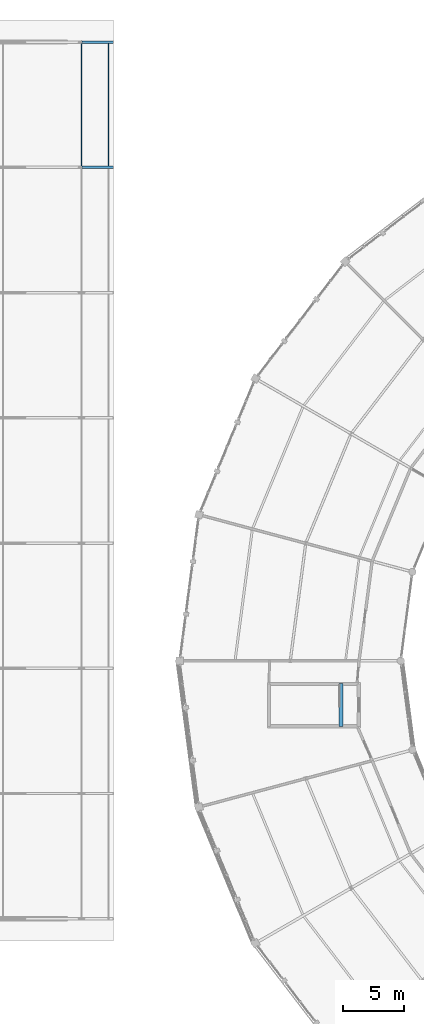
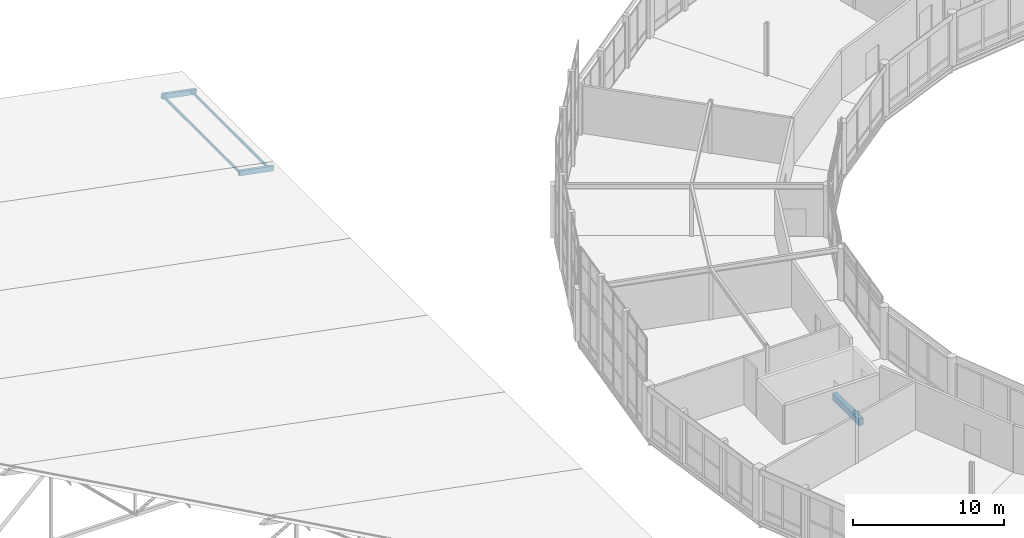
# One storey, part 79 of 200: 4 members, 1 beam.
"""IFC4 building model written with IfcOpenShell, lengths in metres."""

from ifc_helpers import new_model, si_unit, direction, frame, origin, origin_2d, place, context, subcontext, project, spatial, rectangle, hollow_rectangle, extrude, material, material_profile, profile_set, type_object, element, save


model = new_model("IFC4")

# Units and contexts
model_context = context("Model", 3, precision=1e-05, world=origin(), true_north=direction((0.0, 1.0)))
body_context = subcontext(model_context, "Body", "Model", "MODEL_VIEW")
ifc_project = project(units=[si_unit("LENGTHUNIT", "METRE"), si_unit("AREAUNIT", "SQUARE_METRE"), si_unit("VOLUMEUNIT", "CUBIC_METRE"), si_unit("PLANEANGLEUNIT", "RADIAN"), si_unit("MASSUNIT", "GRAM", prefix="KILO")], contexts=[model_context])

# Site, building, storey
site_placement = place(None, origin())
site = spatial("IfcSite", under=ifc_project, at=site_placement, CompositionType="ELEMENT")
building_placement = place(site_placement, origin())
building = spatial("IfcBuilding", under=site, at=building_placement, Name="Vondelvale Polytechnic", CompositionType="ELEMENT")
storey_placement = place(building_placement, frame((0.0, 0.0, 13.800048828125)))
storey = spatial("IfcBuildingStorey", under=building, at=storey_placement, Name="L03", CompositionType="ELEMENT", Elevation=13.800048828125)

# Beam
ifc_material_1 = material(Name="Concrete N40 (f'c = 40 MPa)", Category="concrete")
ifc_material_profile_1 = material_profile(ifc_material_1, rectangle(XDim=0.35009765625, YDim=0.550048828125, at=origin_2d()), Name="RC-BM-350x550")
ifc_profile_set_1 = profile_set([ifc_material_profile_1], Name="Concrete N40 (f'c = 40 MPa)")
beam_type = type_object("IfcBeamType", Name="BM-RC350x550", PredefinedType="BEAM", material=ifc_profile_set_1)
beam_placement = place(storey_placement, frame((69.125, 70.14990234375, -0.275146484375), z_axis=(0.0, -1.0, 0.0), x_axis=(1.0, 0.0, 0.0)))
element("IfcBeam", 1, at=beam_placement, inside=storey, type_object=beam_type, Name="L03 STHD B-06", PredefinedType="BEAM", context=body_context, shape_type="SweptSolid", body=[
    extrude(rectangle(XDim=0.35009765625, YDim=0.550048828125, at=origin_2d()), origin(), (0.0, 0.0, 1.0), 3.5),
])

# Members
ifc_material_2 = material(Name="Steel C350L0 (fy = 350 MPa)", Category="steel")
ifc_material_profile_2 = material_profile(ifc_material_2, hollow_rectangle(XDim=0.10009765625, YDim=0.199951171875, WallThickness=0.006103515625, at=origin_2d()), Name="200x100x6.0RHS")
ifc_profile_set_2 = profile_set([ifc_material_profile_2], Name="Steel C350L0 (fy = 350 MPa)")
member_type_1 = type_object("IfcMemberType", Name="PURLIN RHS200", PredefinedType="PURLIN", material=ifc_profile_set_2)
for number, where, z_axis, x_axis, name in (
    (2, (48.0, 112.199951171875, -0.31884765625), (0.0, 1.0, 0.0), (-1.0, 0.0, 0.0), "Workshop roof purlin bay 7"),
    (3, (50.199951171875, 112.199951171875, -0.74267578125), (0.0, 1.0, 0.0), (-1.0, 0.0, 0.0), "Workshop roof purlin bay 7"),
):
    element("IfcMember", number, at=place(storey_placement, frame(where, z_axis=z_axis, x_axis=x_axis)), inside=storey, type_object=member_type_1, Name=name, PredefinedType="PURLIN", context=body_context, shape_type="SweptSolid", body=[
        extrude(hollow_rectangle(XDim=0.10009765625, YDim=0.199951171875, WallThickness=0.006103515625, at=origin_2d()), origin(), (0.0, 0.0, 1.0), 10.199951171875),
    ])
ifc_material_profile_3 = material_profile(ifc_material_2, hollow_rectangle(XDim=0.199951171875, YDim=0.39990234375, WallThickness=0.010009765625, at=origin_2d()), Name="400x200x10.0RHS")
ifc_profile_set_3 = profile_set([ifc_material_profile_3], Name="Steel C350L0 (fy = 350 MPa)")
member_type_2 = type_object("IfcMemberType", Name="ROOF TRUSS TOP CHORD 400RHS", PredefinedType="CHORD", material=ifc_profile_set_3)
for number, where, z_axis, x_axis, name in (
    (4, (48.0, 112.199951171875, -0.420166015625), (0.981939305936, 0.0, -0.189196193031), (0.0, 1.0, 0.0), "ROOF TRUSS TR-07 top chord 6"),
    (5, (48.0, 122.39990234375, -0.420166015625), (0.981939305936, 0.0, -0.189196193031), (0.0, 1.0, 0.0), "ROOF TRUSS TR-08 top chord 6"),
):
    element("IfcMember", number, at=place(storey_placement, frame(where, z_axis=z_axis, x_axis=x_axis)), inside=storey, type_object=member_type_2, Name=name, PredefinedType="CHORD", context=body_context, shape_type="SweptSolid", body=[
        extrude(hollow_rectangle(XDim=0.199951171875, YDim=0.39990234375, WallThickness=0.010009765625, at=origin_2d()), origin(), (0.0, 0.0, 1.0), 2.64794921875),
    ])

save(model, "model.ifc")
